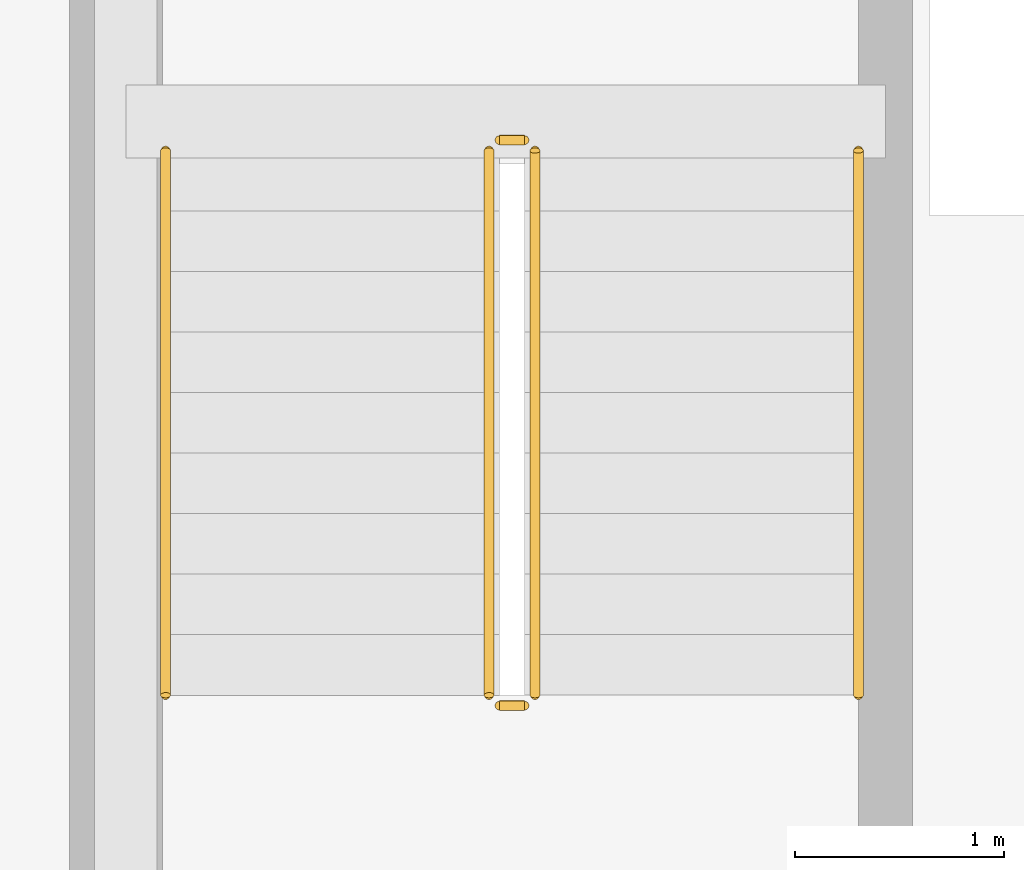
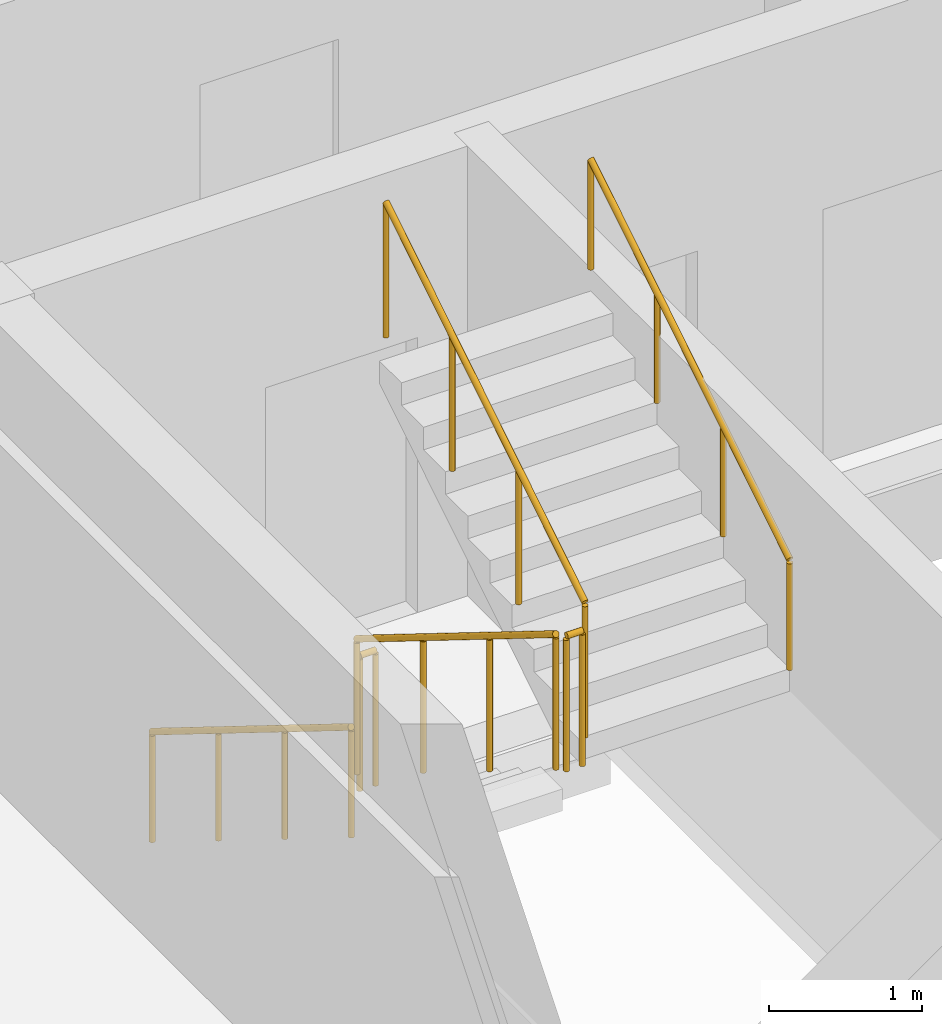
# One storey, part 44 of 51: 6 railings.
"""IFC4 building model written with IfcOpenShell, lengths in metres."""

from ifc_helpers import new_model, si_unit, direction, frame, origin, origin_2d, place, context, subcontext, project, spatial, circle, extrude, material, type_object, element, save


model = new_model("IFC4")

# Units and contexts
model_context = context("Model", 3, precision=1e-05, world=origin(), true_north=direction((0.0, 1.0)))
body_context = subcontext(model_context, "Body", "Model", "MODEL_VIEW")
ifc_project = project(units=[si_unit("LENGTHUNIT", "METRE"), si_unit("AREAUNIT", "SQUARE_METRE"), si_unit("VOLUMEUNIT", "CUBIC_METRE"), si_unit("PLANEANGLEUNIT", "RADIAN"), si_unit("MASSUNIT", "GRAM", prefix="KILO")], contexts=[model_context])

# Site, building, storey
site_placement = place(None, origin())
site = spatial("IfcSite", under=ifc_project, at=site_placement, CompositionType="ELEMENT")
building_placement = place(site_placement, origin())
building = spatial("IfcBuilding", under=site, at=building_placement, Name="Vharandega Faculty of Natural Sciences", CompositionType="ELEMENT")
storey_placement = place(building_placement, frame((0.0, 0.0, 14.39990234375)))
storey = spatial("IfcBuildingStorey", under=building, at=storey_placement, Name="L03", CompositionType="ELEMENT", Elevation=14.39990234375)

# Railings
ifc_material_1 = material(Name="Brushed stainless steel handrail", Category="steel")
railing_type_1 = type_object("IfcRailingType", Name="Stair Tubular Handrail 900", PredefinedType="HANDRAIL", material=ifc_material_1)
railing_1_placement = place(storey_placement, frame((32.18994140625, 46.2099609375, 0.18017578125)))
element("IfcRailing", 1, at=railing_1_placement, inside=storey, type_object=railing_type_1, Name="L03 ST3 stair handrail 1", PredefinedType="HANDRAIL", context=body_context, shape_type="SweptSolid", body=[
    extrude(circle(Radius=0.02392578125, at=origin_2d()), frame((0.0, 0.0, 0.8759765625), z_axis=(0.0, -0.849646306263, 0.527352969322), x_axis=(1.0, 0.0, 0.0)), (0.0, 0.0, 1.0), 3.07177734375),
    extrude(circle(Radius=0.02099609375, at=origin_2d()), origin(), (0.0, 0.0, 1.0), 0.851806640625),
    extrude(circle(Radius=0.02099609375, at=origin_2d()), frame((0.0, -0.869873046875, 0.5400390625)), (0.0, 0.0, 1.0), 0.851806640625),
    extrude(circle(Radius=0.02099609375, at=origin_2d()), frame((0.0, -1.739990234375, 1.079833984375)), (0.0, 0.0, 1.0), 0.851806640625),
    extrude(circle(Radius=0.02099609375, at=origin_2d()), frame((0.0, -2.60986328125, 1.619873046875)), (0.0, 0.0, 1.0), 0.851806640625),
])
railing_2_placement = place(storey_placement, frame((35.510009765625, 43.60009765625, 1.97998046875)))
element("IfcRailing", 2, at=railing_2_placement, inside=storey, type_object=railing_type_1, Name="L03 ST3 stair handrail 2", PredefinedType="HANDRAIL", context=body_context, shape_type="SweptSolid", body=[
    extrude(circle(Radius=0.02392578125, at=origin_2d()), frame((0.0, 0.0, 0.8759765625), z_axis=(0.0, 0.849610693518, 0.52741034258), x_axis=(-1.0, 0.0, 0.0)), (0.0, 0.0, 1.0), 3.07177734375),
    extrude(circle(Radius=0.02099609375, at=origin_2d()), origin(), (0.0, 0.0, 1.0), 0.851806640625),
    extrude(circle(Radius=0.02099609375, at=origin_2d()), frame((0.0, 0.869873046875, 0.5400390625)), (0.0, 0.0, 1.0), 0.851806640625),
    extrude(circle(Radius=0.02099609375, at=origin_2d()), frame((0.0, 1.739990234375, 1.080078125)), (0.0, 0.0, 1.0), 0.851806640625),
    extrude(circle(Radius=0.02099609375, at=origin_2d()), frame((0.0, 2.60986328125, 1.6201171875)), (0.0, 0.0, 1.0), 0.851806640625),
])
ifc_material_2 = material(Name="Painted steel stair guardrail", Category="steel")
railing_type_2 = type_object("IfcRailingType", Name="Stairwell Steel Guardrail 1100", PredefinedType="GUARDRAIL", material=ifc_material_2)
railing_3_placement = place(storey_placement, frame((33.739990234375, 46.2099609375, 0.18017578125)))
element("IfcRailing", 3, at=railing_3_placement, inside=storey, type_object=railing_type_2, Name="L03 ST3 stair guard 1", PredefinedType="GUARDRAIL", context=body_context, shape_type="SweptSolid", body=[
    extrude(circle(Radius=0.02392578125, at=origin_2d()), frame((0.0, 0.0, 1.076171875), z_axis=(0.0, -0.849646306263, 0.527352969322), x_axis=(1.0, 0.0, 0.0)), (0.0, 0.0, 1.0), 3.07177734375),
    extrude(circle(Radius=0.02099609375, at=origin_2d()), origin(), (0.0, 0.0, 1.0), 1.052001953125),
    extrude(circle(Radius=0.02099609375, at=origin_2d()), frame((0.0, -0.869873046875, 0.5400390625)), (0.0, 0.0, 1.0), 1.052001953125),
    extrude(circle(Radius=0.02099609375, at=origin_2d()), frame((0.0, -1.739990234375, 1.079833984375)), (0.0, 0.0, 1.0), 1.052001953125),
    extrude(circle(Radius=0.02099609375, at=origin_2d()), frame((0.0, -2.60986328125, 1.619873046875)), (0.0, 0.0, 1.0), 1.052001953125),
])
railing_4_placement = place(storey_placement, frame((33.7900390625, 43.550048828125, 1.800048828125)))
element("IfcRailing", 4, at=railing_4_placement, inside=storey, type_object=railing_type_2, Name="L03 ST3 stair guard 2", PredefinedType="GUARDRAIL", context=body_context, shape_type="SweptSolid", body=[
    extrude(circle(Radius=0.02392578125, at=origin_2d()), frame((0.0, 0.0, 1.076171875), z_axis=(1.0, 0.0, 0.0), x_axis=(0.0, 1.0, 0.0)), (0.0, 0.0, 1.0), 0.119873046875),
    extrude(circle(Radius=0.02099609375, at=origin_2d()), origin(), (0.0, 0.0, 1.0), 1.052001953125),
    extrude(circle(Radius=0.02099609375, at=origin_2d()), frame((0.119873046875, 0.0, 0.0)), (0.0, 0.0, 1.0), 1.052001953125),
])
railing_5_placement = place(storey_placement, frame((33.9599609375, 43.60009765625, 1.97998046875)))
element("IfcRailing", 5, at=railing_5_placement, inside=storey, type_object=railing_type_2, Name="L03 ST3 stair guard 3", PredefinedType="GUARDRAIL", context=body_context, shape_type="SweptSolid", body=[
    extrude(circle(Radius=0.02392578125, at=origin_2d()), frame((0.0, 0.0, 1.076171875), z_axis=(0.0, 0.849610693518, 0.52741034258), x_axis=(-1.0, 0.0, 0.0)), (0.0, 0.0, 1.0), 3.07177734375),
    extrude(circle(Radius=0.02099609375, at=origin_2d()), origin(), (0.0, 0.0, 1.0), 1.052001953125),
    extrude(circle(Radius=0.02099609375, at=origin_2d()), frame((0.0, 0.869873046875, 0.5400390625)), (0.0, 0.0, 1.0), 1.052001953125),
    extrude(circle(Radius=0.02099609375, at=origin_2d()), frame((0.0, 1.739990234375, 1.080078125)), (0.0, 0.0, 1.0), 1.052001953125),
    extrude(circle(Radius=0.02099609375, at=origin_2d()), frame((0.0, 2.60986328125, 1.6201171875)), (0.0, 0.0, 1.0), 1.052001953125),
])
railing_6_placement = place(storey_placement, frame((33.7900390625, 46.260009765625, 0.0)))
element("IfcRailing", 6, at=railing_6_placement, inside=storey, type_object=railing_type_2, Name="L03 ST3 stair guard 4", PredefinedType="GUARDRAIL", context=body_context, shape_type="SweptSolid", body=[
    extrude(circle(Radius=0.02392578125, at=origin_2d()), frame((0.0, 0.0, 1.076171875), z_axis=(1.0, 0.0, 0.0), x_axis=(0.0, 1.0, 0.0)), (0.0, 0.0, 1.0), 0.119873046875),
    extrude(circle(Radius=0.02099609375, at=origin_2d()), origin(), (0.0, 0.0, 1.0), 1.052001953125),
    extrude(circle(Radius=0.02099609375, at=origin_2d()), frame((0.119873046875, 0.0, 0.0)), (0.0, 0.0, 1.0), 1.052001953125),
])

save(model, "model.ifc")
